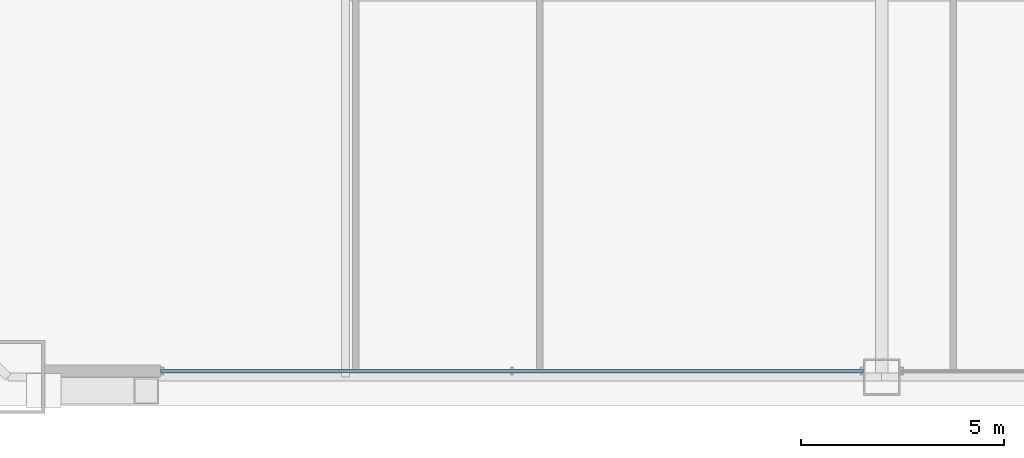
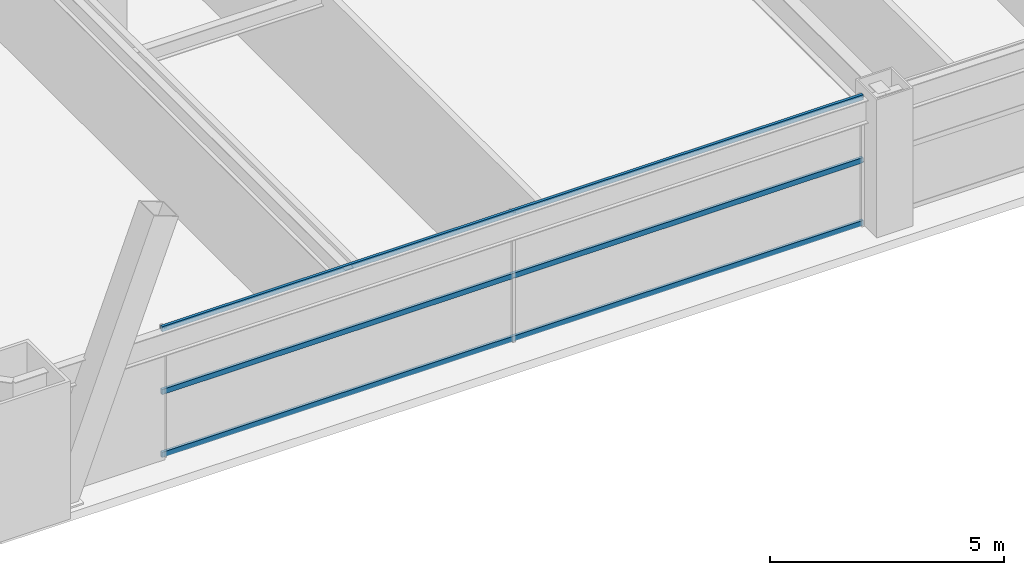
# One storey, part 6 of 43: 3 members, 1 element without a shape of its own.
"""IFC4 building model written with IfcOpenShell, lengths in metres."""

from ifc_helpers import new_model, si_unit, direction, frame, origin, origin_2d, place, context, subcontext, project, spatial, hollow_rectangle, extrude, source, transform, mapped, material, layer, layer_set, material_profile, profile_set, type_object, element, aggregate, save


model = new_model("IFC4")

# Units and contexts
model_context = context("Model", 3, precision=1e-05, world=origin(), true_north=direction((0.0, 1.0)))
body_context = subcontext(model_context, "Body", "Model", "MODEL_VIEW")
ifc_project = project(units=[si_unit("LENGTHUNIT", "METRE"), si_unit("AREAUNIT", "SQUARE_METRE"), si_unit("VOLUMEUNIT", "CUBIC_METRE"), si_unit("PLANEANGLEUNIT", "RADIAN"), si_unit("MASSUNIT", "GRAM", prefix="KILO"), si_unit("THERMODYNAMICTEMPERATUREUNIT", "KELVIN"), si_unit("POWERUNIT", "WATT")], contexts=[model_context])

# Site, building, storey
site_placement = place(None, origin())
site = spatial("IfcSite", under=ifc_project, at=site_placement, CompositionType="ELEMENT")
building_placement = place(site_placement, origin())
building = spatial("IfcBuilding", under=site, at=building_placement, Name="Yuzanri Waterfront Tower", CompositionType="ELEMENT")
storey_placement = place(building_placement, frame((0.0, 0.0, 74.800048828125)))
storey = spatial("IfcBuildingStorey", under=building, at=storey_placement, Name="L19", CompositionType="ELEMENT", Elevation=74.800048828125)

# Curtain wall, members
ifc_material_1 = material(Name="Anodized Architectural Bronze", Category="metal")
ifc_layer = layer(ifc_material_1, 0.159912109375)
ifc_layer_set = layer_set([ifc_layer], Name="Anodized Architectural Bronze")
curtain_wall_type = type_object("IfcCurtainWallType", Name="Anodized Bronze Hotel Lower-Tier Recessed Unitized Curtain Wall 8100", PredefinedType="NOTDEFINED", material=ifc_layer_set)
curtain_wall_placement = place(storey_placement, origin())
curtain_wall = element("IfcCurtainWall", 1, at=curtain_wall_placement, inside=storey, type_object=curtain_wall_type, Name="L19 Curtain Wall CW-L19-SL", PredefinedType="NOTDEFINED")
ifc_material_2 = material(Name="Anodized Architectural Bronze", Category="metal")
ifc_material_profile = material_profile(ifc_material_2, hollow_rectangle(XDim=0.070068359375, YDim=0.135009765625, WallThickness=0.00341796875, at=origin_2d()), Name="CWT 70x135")
ifc_profile_set = profile_set([ifc_material_profile], Name="Anodized Architectural Bronze")
member_type = type_object("IfcMemberType", Name="Anodized Bronze Standard Curtain-Wall Transom 70x135", PredefinedType="USERDEFINED", material=ifc_profile_set)
shared_shape = source(origin(), body_context, "Body", "SweptSolid", [
    extrude(hollow_rectangle(XDim=0.070068359375, YDim=0.135009765625, WallThickness=0.00341796875, at=origin_2d()), origin(), (0.0, 0.0, 1.0), 17.300048828125),
])
member_1_placement = place(storey_placement, frame((19.25, 0.85009765625, 0.050048828125), z_axis=(1.0, 0.0, 0.0), x_axis=(0.0, 1.0, 0.0)))
member_1 = element("IfcMember", 2, at=member_1_placement, type_object=member_type, Name="CW-L19-SL Transom 1", ObjectType="TRANSOM", PredefinedType="USERDEFINED", context=body_context, shape_type="MappedRepresentation", body=[
    mapped(shared_shape, transform((0.0, 0.0, 0.0), scale=1.0)),
])
member_2_placement = place(storey_placement, frame((19.25, 0.85009765625, 1.68994140625), z_axis=(1.0, 0.0, 0.0), x_axis=(0.0, 1.0, 0.0)))
member_2 = element("IfcMember", 3, at=member_2_placement, type_object=member_type, Name="CW-L19-SL Transom 2", ObjectType="TRANSOM", PredefinedType="USERDEFINED", context=body_context, shape_type="MappedRepresentation", body=[
    mapped(shared_shape, transform((0.0, 0.0, 0.0), scale=1.0)),
])
member_3_placement = place(storey_placement, frame((19.25, 0.85009765625, 3.329833984375), z_axis=(1.0, 0.0, 0.0), x_axis=(0.0, 1.0, 0.0)))
member_3 = element("IfcMember", 4, at=member_3_placement, type_object=member_type, Name="CW-L19-SL Transom 3", ObjectType="TRANSOM", PredefinedType="USERDEFINED", context=body_context, shape_type="MappedRepresentation", body=[
    mapped(shared_shape, transform((0.0, 0.0, 0.0), scale=1.0)),
])
aggregate(curtain_wall, [member_1, member_2, member_3])

save(model, "model.ifc")
